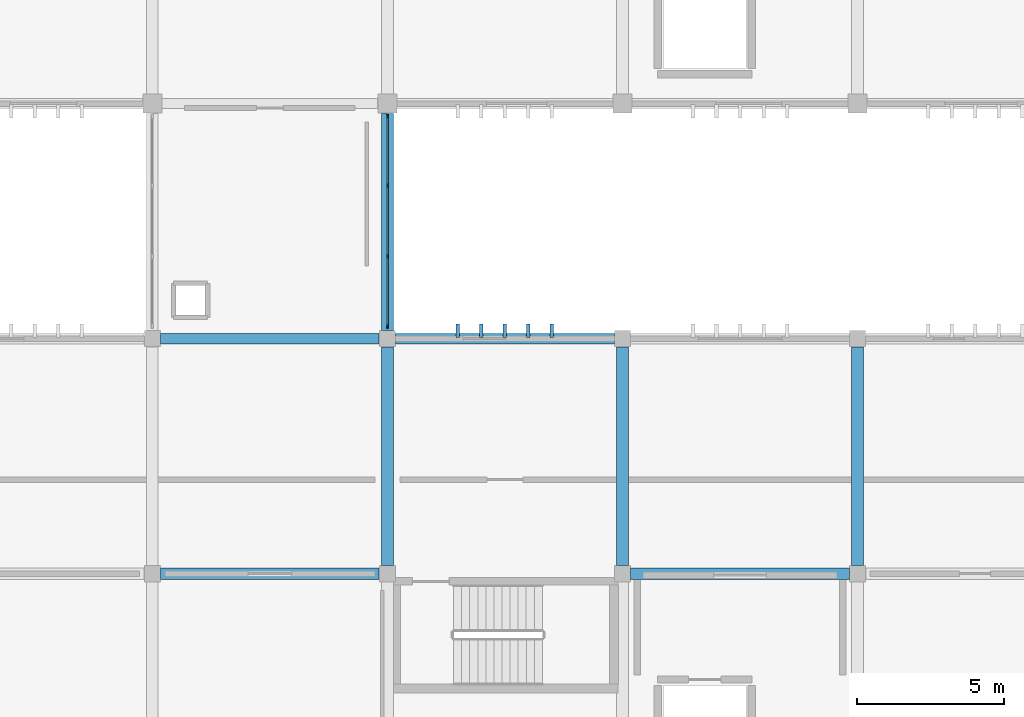
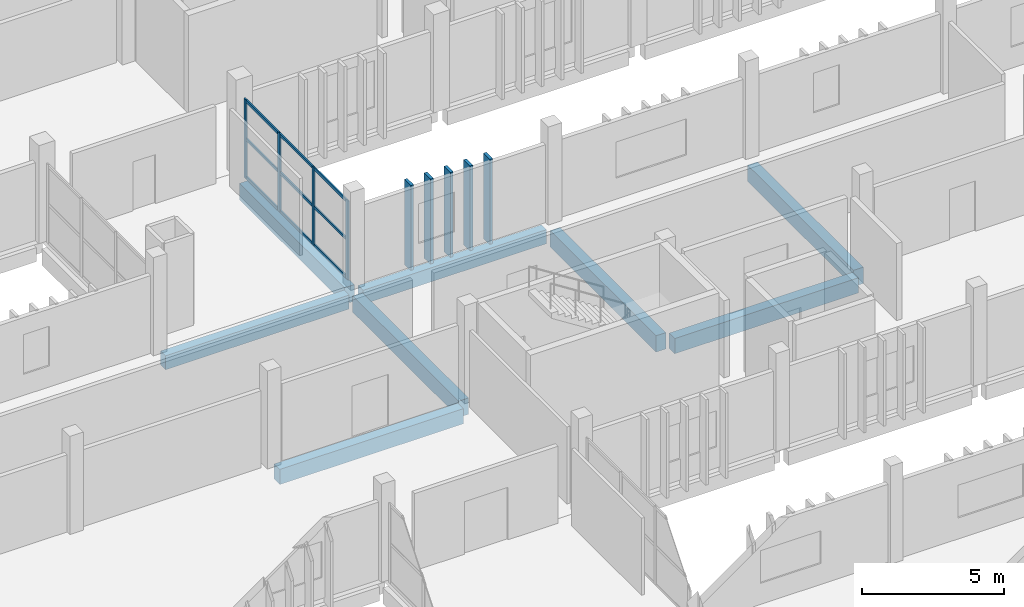
# One storey, part 21 of 63: 18 members, 8 beams, 1 element without a shape of its own.
"""IFC4 building model written with IfcOpenShell, lengths in metres."""

from ifc_helpers import new_model, si_unit, direction, frame, origin, origin_2d, place, context, subcontext, project, spatial, rectangle, extrude, material, layer, layer_set, material_profile, profile_set, type_object, element, aggregate, save


model = new_model("IFC4")

# Units and contexts
model_context = context("Model", 3, precision=1e-05, world=origin(), true_north=direction((0.0, 1.0)))
body_context = subcontext(model_context, "Body", "Model", "MODEL_VIEW")
ifc_project = project(units=[si_unit("LENGTHUNIT", "METRE"), si_unit("AREAUNIT", "SQUARE_METRE"), si_unit("VOLUMEUNIT", "CUBIC_METRE"), si_unit("PLANEANGLEUNIT", "RADIAN"), si_unit("MASSUNIT", "GRAM", prefix="KILO")], contexts=[model_context])

# Site, building, storey
site_placement = place(None, origin())
site = spatial("IfcSite", under=ifc_project, at=site_placement, CompositionType="ELEMENT")
building_placement = place(site_placement, origin())
building = spatial("IfcBuilding", under=site, at=building_placement, Name="Jelvoka-Kovrelna Polytechnic", CompositionType="ELEMENT")
storey_placement = place(building_placement, frame((0.0, 0.0, 18.0)))
storey = spatial("IfcBuildingStorey", under=building, at=storey_placement, Name="L05", CompositionType="ELEMENT", Elevation=18.0)

# Beams
ifc_material_1 = material(Name="Concrete C40/50", Category="concrete")
ifc_material_profile_1 = material_profile(ifc_material_1, rectangle(XDim=0.39990234375, YDim=0.64990234375, at=origin_2d()), Name="RC 400x650")
ifc_profile_set_1 = profile_set([ifc_material_profile_1], Name="Concrete C40/50")
beam_type_1 = type_object("IfcBeamType", Name="Beam_RC_400x650", PredefinedType="BEAM", material=ifc_profile_set_1)
for number, where, z_axis, x_axis, name in (
    (1, (72.280029296875, 40.0, -0.574951171875), (1.0, 0.0, 0.0), (0.0, 1.0, 0.0), "L05 beam 1432"),
    (2, (88.280029296875, 40.0, -0.574951171875), (1.0, 0.0, 0.0), (0.0, 1.0, 0.0), "L05 beam 1433"),
):
    element("IfcBeam", number, at=place(storey_placement, frame(where, z_axis=z_axis, x_axis=x_axis)), inside=storey, type_object=beam_type_1, Name=name, PredefinedType="BEAM", context=body_context, shape_type="SweptSolid", body=[
        extrude(rectangle(XDim=0.39990234375, YDim=0.64990234375, at=origin_2d()), origin(), (0.0, 0.0, 1.0), 7.43994140625),
    ])
ifc_material_2 = material(Name="Concrete C40/50", Category="concrete")
ifc_material_profile_2 = material_profile(ifc_material_2, rectangle(XDim=0.39990234375, YDim=0.699951171875, at=origin_2d()), Name="RC 400x700")
ifc_profile_set_2 = profile_set([ifc_material_profile_2], Name="Concrete C40/50")
beam_type_2 = type_object("IfcBeamType", Name="Beam_RC_400x700", PredefinedType="BEAM", material=ifc_profile_set_2)
for number, where, z_axis, x_axis, name in (
    (3, (80.0, 40.280029296875, -0.60009765625), (0.0, 1.0, 0.0), (-1.0, 0.0, 0.0), "L05 beam 1450"),
    (4, (88.0, 40.280029296875, -0.60009765625), (0.0, 1.0, 0.0), (-1.0, 0.0, 0.0), "L05 beam 1452"),
    (5, (96.0, 40.280029296875, -0.60009765625), (0.0, 1.0, 0.0), (-1.0, 0.0, 0.0), "L05 beam 1454"),
):
    element("IfcBeam", number, at=place(storey_placement, frame(where, z_axis=z_axis, x_axis=x_axis)), inside=storey, type_object=beam_type_2, Name=name, PredefinedType="BEAM", context=body_context, shape_type="SweptSolid", body=[
        extrude(rectangle(XDim=0.39990234375, YDim=0.699951171875, at=origin_2d()), origin(), (0.0, 0.0, 1.0), 7.43994140625),
    ])
beam_placement = place(storey_placement, frame((80.0, 48.280029296875, -0.60009765625), z_axis=(0.0, 1.0, 0.0), x_axis=(-1.0, 0.0, 0.0)))
element("IfcBeam", 6, at=beam_placement, inside=storey, type_object=beam_type_2, Name="L05 beam 1611", PredefinedType="BEAM", context=body_context, shape_type="SweptSolid", body=[
    extrude(rectangle(XDim=0.39990234375, YDim=0.699951171875, at=origin_2d()), origin(), (0.0, 0.0, 1.0), 7.389892578125),
])

# Members
ifc_material_3 = material(Name="Precast concrete C40/50", Category="concrete")
ifc_material_profile_3 = material_profile(ifc_material_3, rectangle(XDim=0.1201171875, YDim=0.449951171875, at=origin_2d()), Name="PC 120x450")
ifc_profile_set_3 = profile_set([ifc_material_profile_3], Name="Precast concrete C40/50")
member_type_1 = type_object("IfcMemberType", Name="Louvre_Fin_120x450", PredefinedType="USERDEFINED", material=ifc_profile_set_3)
for number, where, z_axis, x_axis, name in (
    (7, (82.39990234375, 48.264892578125, -0.27001953125), (0.0, 0.0, 1.0), (1.0, 0.0, 0.0), "L05 B2W north vertical solar louvre fin 0776"),
    (8, (83.199951171875, 48.264892578125, -0.27001953125), (0.0, 0.0, 1.0), (1.0, 0.0, 0.0), "L05 B2W north vertical solar louvre fin 0777"),
    (9, (84.0, 48.264892578125, -0.27001953125), (0.0, 0.0, 1.0), (1.0, 0.0, 0.0), "L05 B2W north vertical solar louvre fin 0778"),
    (10, (84.800048828125, 48.264892578125, -0.27001953125), (0.0, 0.0, 1.0), (1.0, 0.0, 0.0), "L05 B2W north vertical solar louvre fin 0779"),
    (11, (85.60009765625, 48.264892578125, -0.27001953125), (0.0, 0.0, 1.0), (1.0, 0.0, 0.0), "L05 B2W north vertical solar louvre fin 0780"),
):
    element("IfcMember", number, at=place(storey_placement, frame(where, z_axis=z_axis, x_axis=x_axis)), inside=storey, type_object=member_type_1, Name=name, ObjectType="SUNSHADE", PredefinedType="USERDEFINED", context=body_context, shape_type="SweptSolid", body=[
        extrude(rectangle(XDim=0.1201171875, YDim=0.449951171875, at=origin_2d()), origin(), (0.0, 0.0, 1.0), 3.655029296875),
    ])

# Curtain wall, members
ifc_material_4 = material(Name="Anodised aluminium 6063-T6", Category="aluminium")
ifc_layer = layer(ifc_material_4, 0.159912109375)
ifc_layer_set = layer_set([ifc_layer], Name="Anodised aluminium 6063-T6")
curtain_wall_type = type_object("IfcCurtainWallType", Name="CW_LinkBridge", PredefinedType="NOTDEFINED", material=ifc_layer_set)
curtain_wall_placement = place(storey_placement, origin())
curtain_wall = element("IfcCurtainWall", 12, at=curtain_wall_placement, inside=storey, type_object=curtain_wall_type, Name="L05 glazed curtain wall 147", PredefinedType="NOTDEFINED")
ifc_material_5 = material(Name="Anodised aluminium 6063-T6", Category="aluminium")
ifc_material_profile_4 = material_profile(ifc_material_5, rectangle(XDim=0.06005859375, YDim=0.159912109375, at=origin_2d()), Name="ALU 60x160")
ifc_profile_set_4 = profile_set([ifc_material_profile_4], Name="Anodised aluminium 6063-T6")
member_type_2 = type_object("IfcMemberType", Name="Mullion_M-04", PredefinedType="MULLION", material=ifc_profile_set_4)
member_1_placement = place(storey_placement, frame((80.0, 55.570068359375, -0.02490234375), z_axis=(0.0, 0.0, 1.0), x_axis=(1.0, 0.0, 0.0)))
member_1 = element("IfcMember", 13, at=member_1_placement, type_object=member_type_2, Name="CW-04 mullion 1", PredefinedType="MULLION", context=body_context, shape_type="SweptSolid", body=[
    extrude(rectangle(XDim=0.06005859375, YDim=0.159912109375, at=origin_2d()), origin(), (0.0, 0.0, 1.0), 3.385009765625),
])
member_2_placement = place(storey_placement, frame((80.0, 53.199951171875, -0.02490234375), z_axis=(0.0, 0.0, 1.0), x_axis=(1.0, 0.0, 0.0)))
member_2 = element("IfcMember", 14, at=member_2_placement, type_object=member_type_2, Name="CW-04 mullion 2", PredefinedType="MULLION", context=body_context, shape_type="SweptSolid", body=[
    extrude(rectangle(XDim=0.06005859375, YDim=0.159912109375, at=origin_2d()), origin(), (0.0, 0.0, 1.0), 3.385009765625),
])
member_3_placement = place(storey_placement, frame((80.0, 50.800048828125, -0.02490234375), z_axis=(0.0, 0.0, 1.0), x_axis=(1.0, 0.0, 0.0)))
member_3 = element("IfcMember", 15, at=member_3_placement, type_object=member_type_2, Name="CW-04 mullion 3", PredefinedType="MULLION", context=body_context, shape_type="SweptSolid", body=[
    extrude(rectangle(XDim=0.06005859375, YDim=0.159912109375, at=origin_2d()), origin(), (0.0, 0.0, 1.0), 3.385009765625),
])
member_4_placement = place(storey_placement, frame((80.0, 48.429931640625, -0.02490234375), z_axis=(0.0, 0.0, 1.0), x_axis=(1.0, 0.0, 0.0)))
member_4 = element("IfcMember", 16, at=member_4_placement, type_object=member_type_2, Name="CW-04 mullion 4", PredefinedType="MULLION", context=body_context, shape_type="SweptSolid", body=[
    extrude(rectangle(XDim=0.06005859375, YDim=0.159912109375, at=origin_2d()), origin(), (0.0, 0.0, 1.0), 3.385009765625),
])

# Beams
ifc_material_6 = material(Name="Concrete C40/50", Category="concrete")
ifc_material_profile_5 = material_profile(ifc_material_6, rectangle(XDim=0.35009765625, YDim=0.60009765625, at=origin_2d()), Name="RC 350x600")
ifc_profile_set_5 = profile_set([ifc_material_profile_5], Name="Concrete C40/50")
beam_type_3 = type_object("IfcBeamType", Name="Spandrel_RC_350x600", PredefinedType="SPANDREL", material=ifc_profile_set_5)
for number, where, z_axis, x_axis, name in (
    (17, (72.280029296875, 48.0, -0.550048828125), (1.0, 0.0, 0.0), (0.0, 1.0, 0.0), "L05 beam 1438"),
    (18, (80.280029296875, 48.0, -0.550048828125), (1.0, 0.0, 0.0), (0.0, 1.0, 0.0), "L05 beam 1439"),
):
    element("IfcBeam", number, at=place(storey_placement, frame(where, z_axis=z_axis, x_axis=x_axis)), inside=storey, type_object=beam_type_3, Name=name, PredefinedType="SPANDREL", context=body_context, shape_type="SweptSolid", body=[
        extrude(rectangle(XDim=0.35009765625, YDim=0.60009765625, at=origin_2d()), origin(), (0.0, 0.0, 1.0), 7.43994140625),
    ])

# Member
ifc_material_7 = material(Name="Anodised aluminium 6063-T6", Category="aluminium")
ifc_material_profile_6 = material_profile(ifc_material_7, rectangle(XDim=0.06005859375, YDim=0.1201171875, at=origin_2d()), Name="ALU 60x120")
ifc_profile_set_6 = profile_set([ifc_material_profile_6], Name="Anodised aluminium 6063-T6")
member_type_3 = type_object("IfcMemberType", Name="Transom_T-04", PredefinedType="USERDEFINED", material=ifc_profile_set_6)
member_5_placement = place(storey_placement, frame((80.0, 55.5400390625, 0.030029296875), z_axis=(0.0, -1.0, 0.0), x_axis=(1.0, 0.0, 0.0)))
member_5 = element("IfcMember", 19, at=member_5_placement, type_object=member_type_3, Name="CW-04 transom 1.1", ObjectType="TRANSOM", PredefinedType="USERDEFINED", context=body_context, shape_type="SweptSolid", body=[
    extrude(rectangle(XDim=0.06005859375, YDim=0.1201171875, at=origin_2d()), origin(), (0.0, 0.0, 1.0), 2.31005859375),
])

member_6_placement = place(storey_placement, frame((80.0, 55.5400390625, 1.66748046875), z_axis=(0.0, -1.0, 0.0), x_axis=(1.0, 0.0, 0.0)))
member_6 = element("IfcMember", 20, at=member_6_placement, type_object=member_type_3, Name="CW-04 transom 1.2", ObjectType="TRANSOM", PredefinedType="USERDEFINED", context=body_context, shape_type="SweptSolid", body=[
    extrude(rectangle(XDim=0.06005859375, YDim=0.1201171875, at=origin_2d()), origin(), (0.0, 0.0, 1.0), 2.31005859375),
])

member_7_placement = place(storey_placement, frame((80.0, 55.5400390625, 3.304931640625), z_axis=(0.0, -1.0, 0.0), x_axis=(1.0, 0.0, 0.0)))
member_7 = element("IfcMember", 21, at=member_7_placement, type_object=member_type_3, Name="CW-04 transom 1.3", ObjectType="TRANSOM", PredefinedType="USERDEFINED", context=body_context, shape_type="SweptSolid", body=[
    extrude(rectangle(XDim=0.06005859375, YDim=0.1201171875, at=origin_2d()), origin(), (0.0, 0.0, 1.0), 2.31005859375),
])

member_8_placement = place(storey_placement, frame((80.0, 53.169921875, 0.030029296875), z_axis=(0.0, -1.0, 0.0), x_axis=(1.0, 0.0, 0.0)))
member_8 = element("IfcMember", 22, at=member_8_placement, type_object=member_type_3, Name="CW-04 transom 2.1", ObjectType="TRANSOM", PredefinedType="USERDEFINED", context=body_context, shape_type="SweptSolid", body=[
    extrude(rectangle(XDim=0.06005859375, YDim=0.1201171875, at=origin_2d()), origin(), (0.0, 0.0, 1.0), 2.33984375),
])

member_9_placement = place(storey_placement, frame((80.0, 53.169921875, 1.66748046875), z_axis=(0.0, -1.0, 0.0), x_axis=(1.0, 0.0, 0.0)))
member_9 = element("IfcMember", 23, at=member_9_placement, type_object=member_type_3, Name="CW-04 transom 2.2", ObjectType="TRANSOM", PredefinedType="USERDEFINED", context=body_context, shape_type="SweptSolid", body=[
    extrude(rectangle(XDim=0.06005859375, YDim=0.1201171875, at=origin_2d()), origin(), (0.0, 0.0, 1.0), 2.33984375),
])

member_10_placement = place(storey_placement, frame((80.0, 53.169921875, 3.304931640625), z_axis=(0.0, -1.0, 0.0), x_axis=(1.0, 0.0, 0.0)))
member_10 = element("IfcMember", 24, at=member_10_placement, type_object=member_type_3, Name="CW-04 transom 2.3", ObjectType="TRANSOM", PredefinedType="USERDEFINED", context=body_context, shape_type="SweptSolid", body=[
    extrude(rectangle(XDim=0.06005859375, YDim=0.1201171875, at=origin_2d()), origin(), (0.0, 0.0, 1.0), 2.33984375),
])

member_11_placement = place(storey_placement, frame((80.0, 50.77001953125, 0.030029296875), z_axis=(0.0, -1.0, 0.0), x_axis=(1.0, 0.0, 0.0)))
member_11 = element("IfcMember", 25, at=member_11_placement, type_object=member_type_3, Name="CW-04 transom 3.1", ObjectType="TRANSOM", PredefinedType="USERDEFINED", context=body_context, shape_type="SweptSolid", body=[
    extrude(rectangle(XDim=0.06005859375, YDim=0.1201171875, at=origin_2d()), origin(), (0.0, 0.0, 1.0), 2.31005859375),
])

member_12_placement = place(storey_placement, frame((80.0, 50.77001953125, 1.66748046875), z_axis=(0.0, -1.0, 0.0), x_axis=(1.0, 0.0, 0.0)))
member_12 = element("IfcMember", 26, at=member_12_placement, type_object=member_type_3, Name="CW-04 transom 3.2", ObjectType="TRANSOM", PredefinedType="USERDEFINED", context=body_context, shape_type="SweptSolid", body=[
    extrude(rectangle(XDim=0.06005859375, YDim=0.1201171875, at=origin_2d()), origin(), (0.0, 0.0, 1.0), 2.31005859375),
])

member_13_placement = place(storey_placement, frame((80.0, 50.77001953125, 3.304931640625), z_axis=(0.0, -1.0, 0.0), x_axis=(1.0, 0.0, 0.0)))
member_13 = element("IfcMember", 27, at=member_13_placement, type_object=member_type_3, Name="CW-04 transom 3.3", ObjectType="TRANSOM", PredefinedType="USERDEFINED", context=body_context, shape_type="SweptSolid", body=[
    extrude(rectangle(XDim=0.06005859375, YDim=0.1201171875, at=origin_2d()), origin(), (0.0, 0.0, 1.0), 2.31005859375),
])

aggregate(curtain_wall, [member_1, member_2, member_3, member_4, member_5, member_6, member_7, member_8, member_9, member_10, member_11, member_12, member_13])

save(model, "model.ifc")
